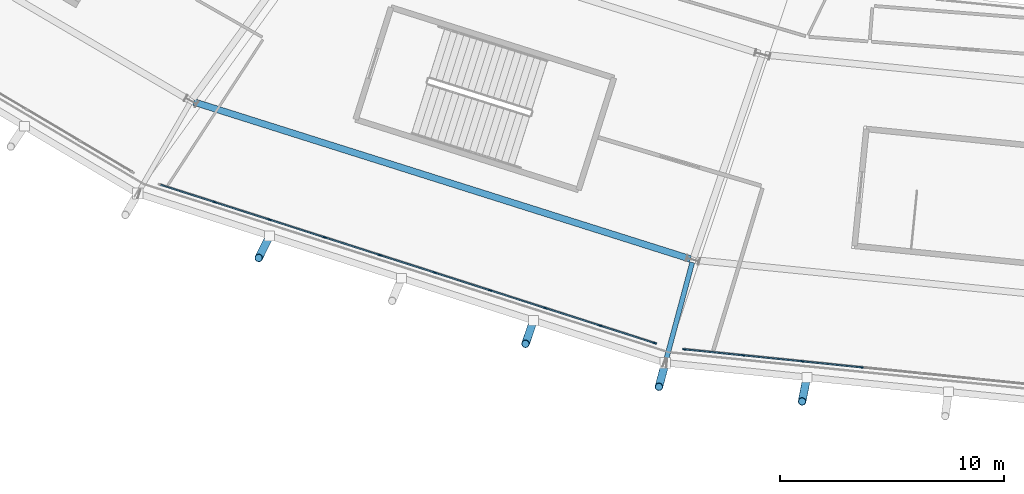
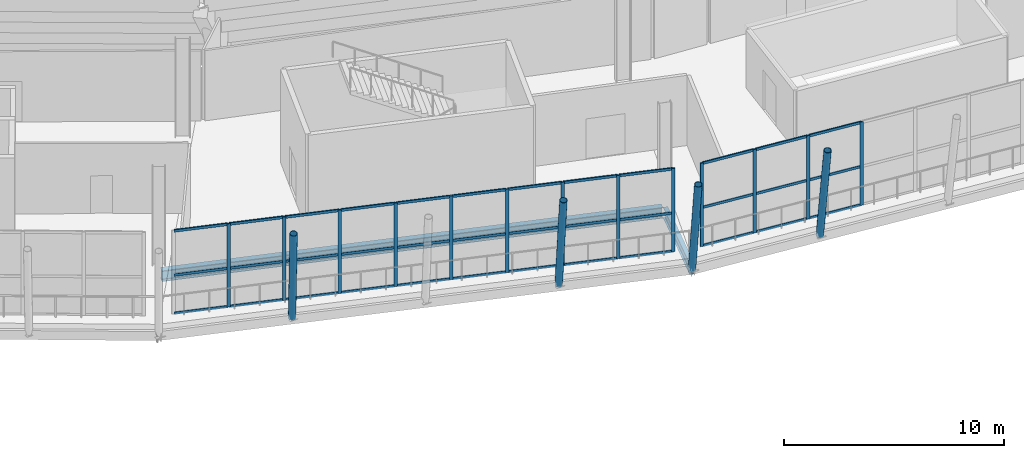
# One storey, part 20 of 126: 53 members, 2 beams, 2 elements without a shape of their own.
"""IFC4 building model written with IfcOpenShell, lengths in metres."""

from ifc_helpers import new_model, si_unit, direction, frame, origin, origin_2d, place, context, subcontext, project, spatial, rectangle, hollow_circle, i_section, extrude, material, material_profile, profile_set, type_object, element, aggregate, save


model = new_model("IFC4")

# Units and contexts
model_context = context("Model", 3, precision=1e-05, world=origin(), true_north=direction((0.0, 1.0)))
body_context = subcontext(model_context, "Body", "Model", "MODEL_VIEW")
ifc_project = project(units=[si_unit("LENGTHUNIT", "METRE"), si_unit("AREAUNIT", "SQUARE_METRE"), si_unit("VOLUMEUNIT", "CUBIC_METRE"), si_unit("PLANEANGLEUNIT", "RADIAN"), si_unit("MASSUNIT", "GRAM", prefix="KILO")], contexts=[model_context])

# Site, building, storey
site_placement = place(None, origin())
site = spatial("IfcSite", under=ifc_project, at=site_placement, CompositionType="ELEMENT")
building_placement = place(site_placement, origin())
building = spatial("IfcBuilding", under=site, at=building_placement, Name="Zlatoyarsky Gate Stadium", CompositionType="ELEMENT")
storey_placement = place(building_placement, frame((0.0, 0.0, 20.800048828125)))
storey = spatial("IfcBuildingStorey", under=building, at=storey_placement, Name="L04", CompositionType="ELEMENT", Elevation=20.800048828125)

# Curtain wall, members
ifc_material_1 = material(Name="Thermally broken anodised aluminium curtain wall", Category="aluminium")
curtain_wall_type = type_object("IfcCurtainWallType", Name="UNITISED MEDIA RING GLAZING L04", PredefinedType="USERDEFINED", material=ifc_material_1)
curtain_wall_1_placement = place(storey_placement, origin())
curtain_wall_1 = element("IfcCurtainWall", 1, at=curtain_wall_1_placement, inside=storey, type_object=curtain_wall_type, Name="Curtain wall CW-L04-16", ObjectType="UNITISED GLAZING", PredefinedType="USERDEFINED")
ifc_material_2 = material(Name="Anodised aluminium 6063-T6", Category="aluminium")
ifc_material_profile_1 = material_profile(ifc_material_2, rectangle(XDim=0.06494140625, YDim=0.159912109375, at=origin_2d()), Name="ALU 65X160")
ifc_profile_set_1 = profile_set([ifc_material_profile_1], Name="Anodised aluminium 6063-T6")
member_type_1 = type_object("IfcMemberType", Name="ALUMINIUM MULLION 65X160", PredefinedType="MULLION", material=ifc_profile_set_1)
member_1_placement = place(storey_placement, frame((65.5478515625, 14.000244140625, 0.0), z_axis=(0.0, 0.0, 1.0), x_axis=(0.305065730928, 0.952331297298, 0.0)))
member_1 = element("IfcMember", 2, at=member_1_placement, type_object=member_type_1, Name="CW-UG4 mullion 2", PredefinedType="MULLION", context=body_context, shape_type="SweptSolid", body=[
    extrude(rectangle(XDim=0.06494140625, YDim=0.159912109375, at=origin_2d()), origin(), (0.0, 0.0, 1.0), 4.619873046875),
])
member_2_placement = place(storey_placement, frame((68.01171875, 13.211181640625, 0.0), z_axis=(0.0, 0.0, 1.0), x_axis=(0.305065730928, 0.952331297298, 0.0)))
member_2 = element("IfcMember", 3, at=member_2_placement, type_object=member_type_1, Name="CW-UG4 mullion 3", PredefinedType="MULLION", context=body_context, shape_type="SweptSolid", body=[
    extrude(rectangle(XDim=0.06494140625, YDim=0.159912109375, at=origin_2d()), origin(), (0.0, 0.0, 1.0), 4.619873046875),
])
member_3_placement = place(storey_placement, frame((70.475341796875, 12.421875, 0.0), z_axis=(0.0, 0.0, 1.0), x_axis=(0.305065730928, 0.952331297298, 0.0)))
member_3 = element("IfcMember", 4, at=member_3_placement, type_object=member_type_1, Name="CW-UG4 mullion 4", PredefinedType="MULLION", context=body_context, shape_type="SweptSolid", body=[
    extrude(rectangle(XDim=0.06494140625, YDim=0.159912109375, at=origin_2d()), origin(), (0.0, 0.0, 1.0), 4.619873046875),
])
member_4_placement = place(storey_placement, frame((72.93896484375, 11.632568359375, 0.0), z_axis=(0.0, 0.0, 1.0), x_axis=(0.305065730928, 0.952331297298, 0.0)))
member_4 = element("IfcMember", 5, at=member_4_placement, type_object=member_type_1, Name="CW-UG4 mullion 5", PredefinedType="MULLION", context=body_context, shape_type="SweptSolid", body=[
    extrude(rectangle(XDim=0.06494140625, YDim=0.159912109375, at=origin_2d()), origin(), (0.0, 0.0, 1.0), 4.619873046875),
])
member_5_placement = place(storey_placement, frame((75.402587890625, 10.843505859375, 0.0), z_axis=(0.0, 0.0, 1.0), x_axis=(0.305065730928, 0.952331297298, 0.0)))
member_5 = element("IfcMember", 6, at=member_5_placement, type_object=member_type_1, Name="CW-UG4 mullion 6", PredefinedType="MULLION", context=body_context, shape_type="SweptSolid", body=[
    extrude(rectangle(XDim=0.06494140625, YDim=0.159912109375, at=origin_2d()), origin(), (0.0, 0.0, 1.0), 4.619873046875),
])
member_6_placement = place(storey_placement, frame((77.866455078125, 10.05419921875, 0.0), z_axis=(0.0, 0.0, 1.0), x_axis=(0.305065730928, 0.952331297298, 0.0)))
member_6 = element("IfcMember", 7, at=member_6_placement, type_object=member_type_1, Name="CW-UG4 mullion 7", PredefinedType="MULLION", context=body_context, shape_type="SweptSolid", body=[
    extrude(rectangle(XDim=0.06494140625, YDim=0.159912109375, at=origin_2d()), origin(), (0.0, 0.0, 1.0), 4.619873046875),
])
member_7_placement = place(storey_placement, frame((80.330078125, 9.26513671875, 0.0), z_axis=(0.0, 0.0, 1.0), x_axis=(0.305065730928, 0.952331297298, 0.0)))
member_7 = element("IfcMember", 8, at=member_7_placement, type_object=member_type_1, Name="CW-UG4 mullion 8", PredefinedType="MULLION", context=body_context, shape_type="SweptSolid", body=[
    extrude(rectangle(XDim=0.06494140625, YDim=0.159912109375, at=origin_2d()), origin(), (0.0, 0.0, 1.0), 4.619873046875),
])
member_8_placement = place(storey_placement, frame((82.793701171875, 8.475830078125, 0.0), z_axis=(0.0, 0.0, 1.0), x_axis=(0.305065730928, 0.952331297298, 0.0)))
member_8 = element("IfcMember", 9, at=member_8_placement, type_object=member_type_1, Name="CW-UG4 mullion 9", PredefinedType="MULLION", context=body_context, shape_type="SweptSolid", body=[
    extrude(rectangle(XDim=0.06494140625, YDim=0.159912109375, at=origin_2d()), origin(), (0.0, 0.0, 1.0), 4.619873046875),
])
member_9_placement = place(storey_placement, frame((85.2265625, 7.696533203125, 0.0), z_axis=(0.0, 0.0, 1.0), x_axis=(0.305065730928, 0.952331297298, 0.0)))
member_9 = element("IfcMember", 10, at=member_9_placement, type_object=member_type_1, Name="CW-UG4 mullion 10", PredefinedType="MULLION", context=body_context, shape_type="SweptSolid", body=[
    extrude(rectangle(XDim=0.06494140625, YDim=0.159912109375, at=origin_2d()), origin(), (0.0, 0.0, 1.0), 4.619873046875),
])

curtain_wall_2_placement = place(storey_placement, origin())
curtain_wall_2 = element("IfcCurtainWall", 11, at=curtain_wall_2_placement, inside=storey, type_object=curtain_wall_type, Name="Curtain wall CW-L04-17", ObjectType="UNITISED GLAZING", PredefinedType="USERDEFINED")
member_10_placement = place(storey_placement, frame((86.555419921875, 7.419189453125, 0.0), z_axis=(0.0, 0.0, 1.0), x_axis=(0.10129293102, 0.994856644007, 0.0)))
member_10 = element("IfcMember", 12, at=member_10_placement, type_object=member_type_1, Name="CW-UG4 mullion 1", PredefinedType="MULLION", context=body_context, shape_type="SweptSolid", body=[
    extrude(rectangle(XDim=0.06494140625, YDim=0.159912109375, at=origin_2d()), origin(), (0.0, 0.0, 1.0), 4.619873046875),
])
member_11_placement = place(storey_placement, frame((89.1708984375, 7.15283203125, 0.0), z_axis=(0.0, 0.0, 1.0), x_axis=(0.10129293102, 0.994856644007, 0.0)))
member_11 = element("IfcMember", 13, at=member_11_placement, type_object=member_type_1, Name="CW-UG4 mullion 2", PredefinedType="MULLION", context=body_context, shape_type="SweptSolid", body=[
    extrude(rectangle(XDim=0.06494140625, YDim=0.159912109375, at=origin_2d()), origin(), (0.0, 0.0, 1.0), 4.619873046875),
])
member_12_placement = place(storey_placement, frame((91.81884765625, 6.88330078125, 0.0), z_axis=(0.0, 0.0, 1.0), x_axis=(0.10129293102, 0.994856644007, 0.0)))
member_12 = element("IfcMember", 14, at=member_12_placement, type_object=member_type_1, Name="CW-UG4 mullion 3", PredefinedType="MULLION", context=body_context, shape_type="SweptSolid", body=[
    extrude(rectangle(XDim=0.06494140625, YDim=0.159912109375, at=origin_2d()), origin(), (0.0, 0.0, 1.0), 4.619873046875),
])
member_13_placement = place(storey_placement, frame((94.466552734375, 6.61376953125, 0.0), z_axis=(0.0, 0.0, 1.0), x_axis=(0.10129293102, 0.994856644007, 0.0)))
member_13 = element("IfcMember", 15, at=member_13_placement, type_object=member_type_1, Name="CW-UG4 mullion 4", PredefinedType="MULLION", context=body_context, shape_type="SweptSolid", body=[
    extrude(rectangle(XDim=0.06494140625, YDim=0.159912109375, at=origin_2d()), origin(), (0.0, 0.0, 1.0), 4.619873046875),
])

# Member
ifc_material_profile_2 = material_profile(ifc_material_2, rectangle(XDim=0.06494140625, YDim=0.139892578125, at=origin_2d()), Name="ALU 65X140")
ifc_profile_set_2 = profile_set([ifc_material_profile_2], Name="Anodised aluminium 6063-T6")
member_type_2 = type_object("IfcMemberType", Name="ALUMINIUM TRANSOM 65X140", PredefinedType="USERDEFINED", material=ifc_profile_set_2)
member_14_placement = place(storey_placement, frame((63.14599609375, 14.769775390625, 0.032470703125), z_axis=(0.952325033937, -0.305085282729, 0.0), x_axis=(0.305085282729, 0.952325033937, 0.0)))
member_14 = element("IfcMember", 16, at=member_14_placement, type_object=member_type_2, Name="CW-UG4 transom 1.1", ObjectType="TRANSOM", PredefinedType="USERDEFINED", context=body_context, shape_type="SweptSolid", body=[
    extrude(rectangle(XDim=0.06494140625, YDim=0.139892578125, at=origin_2d()), origin(), (0.0, 0.0, 1.0), 2.489501953125),
])

member_15_placement = place(storey_placement, frame((63.14599609375, 14.769775390625, 2.14990234375), z_axis=(0.952325033937, -0.305085282729, 0.0), x_axis=(0.305085282729, 0.952325033937, 0.0)))
member_15 = element("IfcMember", 17, at=member_15_placement, type_object=member_type_2, Name="CW-UG4 transom 1.2", ObjectType="TRANSOM", PredefinedType="USERDEFINED", context=body_context, shape_type="SweptSolid", body=[
    extrude(rectangle(XDim=0.06494140625, YDim=0.139892578125, at=origin_2d()), origin(), (0.0, 0.0, 1.0), 2.489501953125),
])

member_16_placement = place(storey_placement, frame((63.14599609375, 14.769775390625, 4.58740234375), z_axis=(0.952325033937, -0.305085282729, 0.0), x_axis=(0.305085282729, 0.952325033937, 0.0)))
member_16 = element("IfcMember", 18, at=member_16_placement, type_object=member_type_2, Name="CW-UG4 transom 1.3", ObjectType="TRANSOM", PredefinedType="USERDEFINED", context=body_context, shape_type="SweptSolid", body=[
    extrude(rectangle(XDim=0.06494140625, YDim=0.139892578125, at=origin_2d()), origin(), (0.0, 0.0, 1.0), 2.489501953125),
])

member_17_placement = place(storey_placement, frame((65.578857421875, 13.990478515625, 0.032470703125), z_axis=(0.95231618878, -0.305112891546, 0.0), x_axis=(0.305112891546, 0.95231618878, 0.0)))
member_17 = element("IfcMember", 19, at=member_17_placement, type_object=member_type_2, Name="CW-UG4 transom 2.1", ObjectType="TRANSOM", PredefinedType="USERDEFINED", context=body_context, shape_type="SweptSolid", body=[
    extrude(rectangle(XDim=0.06494140625, YDim=0.139892578125, at=origin_2d()), origin(), (0.0, 0.0, 1.0), 2.522216796875),
])

member_18_placement = place(storey_placement, frame((65.578857421875, 13.990478515625, 2.14990234375), z_axis=(0.95231618878, -0.305112891546, 0.0), x_axis=(0.305112891546, 0.95231618878, 0.0)))
member_18 = element("IfcMember", 20, at=member_18_placement, type_object=member_type_2, Name="CW-UG4 transom 2.2", ObjectType="TRANSOM", PredefinedType="USERDEFINED", context=body_context, shape_type="SweptSolid", body=[
    extrude(rectangle(XDim=0.06494140625, YDim=0.139892578125, at=origin_2d()), origin(), (0.0, 0.0, 1.0), 2.522216796875),
])

member_19_placement = place(storey_placement, frame((65.578857421875, 13.990478515625, 4.58740234375), z_axis=(0.95231618878, -0.305112891546, 0.0), x_axis=(0.305112891546, 0.95231618878, 0.0)))
member_19 = element("IfcMember", 21, at=member_19_placement, type_object=member_type_2, Name="CW-UG4 transom 2.3", ObjectType="TRANSOM", PredefinedType="USERDEFINED", context=body_context, shape_type="SweptSolid", body=[
    extrude(rectangle(XDim=0.06494140625, YDim=0.139892578125, at=origin_2d()), origin(), (0.0, 0.0, 1.0), 2.522216796875),
])

member_20_placement = place(storey_placement, frame((68.04248046875, 13.201171875, 0.032470703125), z_axis=(0.952344312089, -0.305025099349, 0.0), x_axis=(0.305025099349, 0.952344312089, 0.0)))
member_20 = element("IfcMember", 22, at=member_20_placement, type_object=member_type_2, Name="CW-UG4 transom 3.1", ObjectType="TRANSOM", PredefinedType="USERDEFINED", context=body_context, shape_type="SweptSolid", body=[
    extrude(rectangle(XDim=0.06494140625, YDim=0.139892578125, at=origin_2d()), origin(), (0.0, 0.0, 1.0), 2.52197265625),
])

member_21_placement = place(storey_placement, frame((68.04248046875, 13.201171875, 2.14990234375), z_axis=(0.952344312089, -0.305025099349, 0.0), x_axis=(0.305025099349, 0.952344312089, 0.0)))
member_21 = element("IfcMember", 23, at=member_21_placement, type_object=member_type_2, Name="CW-UG4 transom 3.2", ObjectType="TRANSOM", PredefinedType="USERDEFINED", context=body_context, shape_type="SweptSolid", body=[
    extrude(rectangle(XDim=0.06494140625, YDim=0.139892578125, at=origin_2d()), origin(), (0.0, 0.0, 1.0), 2.52197265625),
])

member_22_placement = place(storey_placement, frame((68.04248046875, 13.201171875, 4.58740234375), z_axis=(0.952344312089, -0.305025099349, 0.0), x_axis=(0.305025099349, 0.952344312089, 0.0)))
member_22 = element("IfcMember", 24, at=member_22_placement, type_object=member_type_2, Name="CW-UG4 transom 3.3", ObjectType="TRANSOM", PredefinedType="USERDEFINED", context=body_context, shape_type="SweptSolid", body=[
    extrude(rectangle(XDim=0.06494140625, YDim=0.139892578125, at=origin_2d()), origin(), (0.0, 0.0, 1.0), 2.52197265625),
])

member_23_placement = place(storey_placement, frame((70.50634765625, 12.411865234375, 0.032470703125), z_axis=(0.952335304296, -0.305053221901, 0.0), x_axis=(0.305053221901, 0.952335304296, 0.0)))
member_23 = element("IfcMember", 25, at=member_23_placement, type_object=member_type_2, Name="CW-UG4 transom 4.1", ObjectType="TRANSOM", PredefinedType="USERDEFINED", context=body_context, shape_type="SweptSolid", body=[
    extrude(rectangle(XDim=0.06494140625, YDim=0.139892578125, at=origin_2d()), origin(), (0.0, 0.0, 1.0), 2.521728515625),
])

member_24_placement = place(storey_placement, frame((70.50634765625, 12.411865234375, 2.14990234375), z_axis=(0.952335304296, -0.305053221901, 0.0), x_axis=(0.305053221901, 0.952335304296, 0.0)))
member_24 = element("IfcMember", 26, at=member_24_placement, type_object=member_type_2, Name="CW-UG4 transom 4.2", ObjectType="TRANSOM", PredefinedType="USERDEFINED", context=body_context, shape_type="SweptSolid", body=[
    extrude(rectangle(XDim=0.06494140625, YDim=0.139892578125, at=origin_2d()), origin(), (0.0, 0.0, 1.0), 2.521728515625),
])

member_25_placement = place(storey_placement, frame((70.50634765625, 12.411865234375, 4.58740234375), z_axis=(0.952335304296, -0.305053221901, 0.0), x_axis=(0.305053221901, 0.952335304296, 0.0)))
member_25 = element("IfcMember", 27, at=member_25_placement, type_object=member_type_2, Name="CW-UG4 transom 4.3", ObjectType="TRANSOM", PredefinedType="USERDEFINED", context=body_context, shape_type="SweptSolid", body=[
    extrude(rectangle(XDim=0.06494140625, YDim=0.139892578125, at=origin_2d()), origin(), (0.0, 0.0, 1.0), 2.521728515625),
])

member_26_placement = place(storey_placement, frame((72.969970703125, 11.622802734375, 0.032470703125), z_axis=(0.95231618878, -0.305112891546, 0.0), x_axis=(0.305112891546, 0.95231618878, 0.0)))
member_26 = element("IfcMember", 28, at=member_26_placement, type_object=member_type_2, Name="CW-UG4 transom 5.1", ObjectType="TRANSOM", PredefinedType="USERDEFINED", context=body_context, shape_type="SweptSolid", body=[
    extrude(rectangle(XDim=0.06494140625, YDim=0.139892578125, at=origin_2d()), origin(), (0.0, 0.0, 1.0), 2.522216796875),
])

member_27_placement = place(storey_placement, frame((72.969970703125, 11.622802734375, 2.14990234375), z_axis=(0.95231618878, -0.305112891546, 0.0), x_axis=(0.305112891546, 0.95231618878, 0.0)))
member_27 = element("IfcMember", 29, at=member_27_placement, type_object=member_type_2, Name="CW-UG4 transom 5.2", ObjectType="TRANSOM", PredefinedType="USERDEFINED", context=body_context, shape_type="SweptSolid", body=[
    extrude(rectangle(XDim=0.06494140625, YDim=0.139892578125, at=origin_2d()), origin(), (0.0, 0.0, 1.0), 2.522216796875),
])

member_28_placement = place(storey_placement, frame((72.969970703125, 11.622802734375, 4.58740234375), z_axis=(0.95231618878, -0.305112891546, 0.0), x_axis=(0.305112891546, 0.95231618878, 0.0)))
member_28 = element("IfcMember", 30, at=member_28_placement, type_object=member_type_2, Name="CW-UG4 transom 5.3", ObjectType="TRANSOM", PredefinedType="USERDEFINED", context=body_context, shape_type="SweptSolid", body=[
    extrude(rectangle(XDim=0.06494140625, YDim=0.139892578125, at=origin_2d()), origin(), (0.0, 0.0, 1.0), 2.522216796875),
])

member_29_placement = place(storey_placement, frame((75.43359375, 10.83349609375, 0.032470703125), z_axis=(0.952344312089, -0.305025099349, 0.0), x_axis=(0.305025099349, 0.952344312089, 0.0)))
member_29 = element("IfcMember", 31, at=member_29_placement, type_object=member_type_2, Name="CW-UG4 transom 6.1", ObjectType="TRANSOM", PredefinedType="USERDEFINED", context=body_context, shape_type="SweptSolid", body=[
    extrude(rectangle(XDim=0.06494140625, YDim=0.139892578125, at=origin_2d()), origin(), (0.0, 0.0, 1.0), 2.52197265625),
])

member_30_placement = place(storey_placement, frame((75.43359375, 10.83349609375, 2.14990234375), z_axis=(0.952344312089, -0.305025099349, 0.0), x_axis=(0.305025099349, 0.952344312089, 0.0)))
member_30 = element("IfcMember", 32, at=member_30_placement, type_object=member_type_2, Name="CW-UG4 transom 6.2", ObjectType="TRANSOM", PredefinedType="USERDEFINED", context=body_context, shape_type="SweptSolid", body=[
    extrude(rectangle(XDim=0.06494140625, YDim=0.139892578125, at=origin_2d()), origin(), (0.0, 0.0, 1.0), 2.52197265625),
])

member_31_placement = place(storey_placement, frame((75.43359375, 10.83349609375, 4.58740234375), z_axis=(0.952344312089, -0.305025099349, 0.0), x_axis=(0.305025099349, 0.952344312089, 0.0)))
member_31 = element("IfcMember", 33, at=member_31_placement, type_object=member_type_2, Name="CW-UG4 transom 6.3", ObjectType="TRANSOM", PredefinedType="USERDEFINED", context=body_context, shape_type="SweptSolid", body=[
    extrude(rectangle(XDim=0.06494140625, YDim=0.139892578125, at=origin_2d()), origin(), (0.0, 0.0, 1.0), 2.52197265625),
])

member_32_placement = place(storey_placement, frame((77.8974609375, 10.04443359375, 0.032470703125), z_axis=(0.952307176067, -0.305141020531, 0.0), x_axis=(0.305141020531, 0.952307176067, 0.0)))
member_32 = element("IfcMember", 34, at=member_32_placement, type_object=member_type_2, Name="CW-UG4 transom 7.1", ObjectType="TRANSOM", PredefinedType="USERDEFINED", context=body_context, shape_type="SweptSolid", body=[
    extrude(rectangle(XDim=0.06494140625, YDim=0.139892578125, at=origin_2d()), origin(), (0.0, 0.0, 1.0), 2.52197265625),
])

member_33_placement = place(storey_placement, frame((77.8974609375, 10.04443359375, 2.14990234375), z_axis=(0.952307176067, -0.305141020531, 0.0), x_axis=(0.305141020531, 0.952307176067, 0.0)))
member_33 = element("IfcMember", 35, at=member_33_placement, type_object=member_type_2, Name="CW-UG4 transom 7.2", ObjectType="TRANSOM", PredefinedType="USERDEFINED", context=body_context, shape_type="SweptSolid", body=[
    extrude(rectangle(XDim=0.06494140625, YDim=0.139892578125, at=origin_2d()), origin(), (0.0, 0.0, 1.0), 2.52197265625),
])

member_34_placement = place(storey_placement, frame((77.8974609375, 10.04443359375, 4.58740234375), z_axis=(0.952307176067, -0.305141020531, 0.0), x_axis=(0.305141020531, 0.952307176067, 0.0)))
member_34 = element("IfcMember", 36, at=member_34_placement, type_object=member_type_2, Name="CW-UG4 transom 7.3", ObjectType="TRANSOM", PredefinedType="USERDEFINED", context=body_context, shape_type="SweptSolid", body=[
    extrude(rectangle(XDim=0.06494140625, YDim=0.139892578125, at=origin_2d()), origin(), (0.0, 0.0, 1.0), 2.52197265625),
])

member_35_placement = place(storey_placement, frame((80.361083984375, 9.255126953125, 0.032470703125), z_axis=(0.952344312089, -0.305025099349, 0.0), x_axis=(0.305025099349, 0.952344312089, 0.0)))
member_35 = element("IfcMember", 37, at=member_35_placement, type_object=member_type_2, Name="CW-UG4 transom 8.1", ObjectType="TRANSOM", PredefinedType="USERDEFINED", context=body_context, shape_type="SweptSolid", body=[
    extrude(rectangle(XDim=0.06494140625, YDim=0.139892578125, at=origin_2d()), origin(), (0.0, 0.0, 1.0), 2.52197265625),
])

member_36_placement = place(storey_placement, frame((80.361083984375, 9.255126953125, 2.14990234375), z_axis=(0.952344312089, -0.305025099349, 0.0), x_axis=(0.305025099349, 0.952344312089, 0.0)))
member_36 = element("IfcMember", 38, at=member_36_placement, type_object=member_type_2, Name="CW-UG4 transom 8.2", ObjectType="TRANSOM", PredefinedType="USERDEFINED", context=body_context, shape_type="SweptSolid", body=[
    extrude(rectangle(XDim=0.06494140625, YDim=0.139892578125, at=origin_2d()), origin(), (0.0, 0.0, 1.0), 2.52197265625),
])

member_37_placement = place(storey_placement, frame((80.361083984375, 9.255126953125, 4.58740234375), z_axis=(0.952344312089, -0.305025099349, 0.0), x_axis=(0.305025099349, 0.952344312089, 0.0)))
member_37 = element("IfcMember", 39, at=member_37_placement, type_object=member_type_2, Name="CW-UG4 transom 8.3", ObjectType="TRANSOM", PredefinedType="USERDEFINED", context=body_context, shape_type="SweptSolid", body=[
    extrude(rectangle(XDim=0.06494140625, YDim=0.139892578125, at=origin_2d()), origin(), (0.0, 0.0, 1.0), 2.52197265625),
])

member_38_placement = place(storey_placement, frame((82.82470703125, 8.4658203125, 0.032470703125), z_axis=(0.952353522949, -0.304996339859, 0.0), x_axis=(0.304996339859, 0.952353522949, 0.0)))
member_38 = element("IfcMember", 40, at=member_38_placement, type_object=member_type_2, Name="CW-UG4 transom 9.1", ObjectType="TRANSOM", PredefinedType="USERDEFINED", context=body_context, shape_type="SweptSolid", body=[
    extrude(rectangle(XDim=0.06494140625, YDim=0.139892578125, at=origin_2d()), origin(), (0.0, 0.0, 1.0), 2.489501953125),
])

member_39_placement = place(storey_placement, frame((82.82470703125, 8.4658203125, 2.14990234375), z_axis=(0.952353522949, -0.304996339859, 0.0), x_axis=(0.304996339859, 0.952353522949, 0.0)))
member_39 = element("IfcMember", 41, at=member_39_placement, type_object=member_type_2, Name="CW-UG4 transom 9.2", ObjectType="TRANSOM", PredefinedType="USERDEFINED", context=body_context, shape_type="SweptSolid", body=[
    extrude(rectangle(XDim=0.06494140625, YDim=0.139892578125, at=origin_2d()), origin(), (0.0, 0.0, 1.0), 2.489501953125),
])

member_40_placement = place(storey_placement, frame((82.82470703125, 8.4658203125, 4.58740234375), z_axis=(0.952353522949, -0.304996339859, 0.0), x_axis=(0.304996339859, 0.952353522949, 0.0)))
member_40 = element("IfcMember", 42, at=member_40_placement, type_object=member_type_2, Name="CW-UG4 transom 9.3", ObjectType="TRANSOM", PredefinedType="USERDEFINED", context=body_context, shape_type="SweptSolid", body=[
    extrude(rectangle(XDim=0.06494140625, YDim=0.139892578125, at=origin_2d()), origin(), (0.0, 0.0, 1.0), 2.489501953125),
])

aggregate(curtain_wall_1, [member_1, member_2, member_3, member_4, member_5, member_6, member_7, member_8, member_9, member_14, member_15, member_16, member_17, member_18, member_19, member_20, member_21, member_22, member_23, member_24, member_25, member_26, member_27, member_28, member_29, member_30, member_31, member_32, member_33, member_34, member_35, member_36, member_37, member_38, member_39, member_40])

member_41_placement = place(storey_placement, frame((86.587890625, 7.416015625, 0.032470703125), z_axis=(0.994854532234, -0.101313669822, 0.0), x_axis=(0.101313669822, 0.994854532234, 0.0)))
member_41 = element("IfcMember", 43, at=member_41_placement, type_object=member_type_2, Name="CW-UG4 transom 1.1", ObjectType="TRANSOM", PredefinedType="USERDEFINED", context=body_context, shape_type="SweptSolid", body=[
    extrude(rectangle(XDim=0.06494140625, YDim=0.139892578125, at=origin_2d()), origin(), (0.0, 0.0, 1.0), 2.56396484375),
])

member_42_placement = place(storey_placement, frame((86.587890625, 7.416015625, 2.14990234375), z_axis=(0.994854532234, -0.101313669822, 0.0), x_axis=(0.101313669822, 0.994854532234, 0.0)))
member_42 = element("IfcMember", 44, at=member_42_placement, type_object=member_type_2, Name="CW-UG4 transom 1.2", ObjectType="TRANSOM", PredefinedType="USERDEFINED", context=body_context, shape_type="SweptSolid", body=[
    extrude(rectangle(XDim=0.06494140625, YDim=0.139892578125, at=origin_2d()), origin(), (0.0, 0.0, 1.0), 2.56396484375),
])

member_43_placement = place(storey_placement, frame((86.587890625, 7.416015625, 4.58740234375), z_axis=(0.994854532234, -0.101313669822, 0.0), x_axis=(0.101313669822, 0.994854532234, 0.0)))
member_43 = element("IfcMember", 45, at=member_43_placement, type_object=member_type_2, Name="CW-UG4 transom 1.3", ObjectType="TRANSOM", PredefinedType="USERDEFINED", context=body_context, shape_type="SweptSolid", body=[
    extrude(rectangle(XDim=0.06494140625, YDim=0.139892578125, at=origin_2d()), origin(), (0.0, 0.0, 1.0), 2.56396484375),
])

member_44_placement = place(storey_placement, frame((89.203369140625, 7.149658203125, 0.032470703125), z_axis=(0.994858725957, -0.101272480894, 0.0), x_axis=(0.101272480894, 0.994858725957, 0.0)))
member_44 = element("IfcMember", 46, at=member_44_placement, type_object=member_type_2, Name="CW-UG4 transom 2.1", ObjectType="TRANSOM", PredefinedType="USERDEFINED", context=body_context, shape_type="SweptSolid", body=[
    extrude(rectangle(XDim=0.06494140625, YDim=0.139892578125, at=origin_2d()), origin(), (0.0, 0.0, 1.0), 2.596435546875),
])

member_45_placement = place(storey_placement, frame((89.203369140625, 7.149658203125, 2.14990234375), z_axis=(0.994858725957, -0.101272480894, 0.0), x_axis=(0.101272480894, 0.994858725957, 0.0)))
member_45 = element("IfcMember", 47, at=member_45_placement, type_object=member_type_2, Name="CW-UG4 transom 2.2", ObjectType="TRANSOM", PredefinedType="USERDEFINED", context=body_context, shape_type="SweptSolid", body=[
    extrude(rectangle(XDim=0.06494140625, YDim=0.139892578125, at=origin_2d()), origin(), (0.0, 0.0, 1.0), 2.596435546875),
])

member_46_placement = place(storey_placement, frame((89.203369140625, 7.149658203125, 4.58740234375), z_axis=(0.994858725957, -0.101272480894, 0.0), x_axis=(0.101272480894, 0.994858725957, 0.0)))
member_46 = element("IfcMember", 48, at=member_46_placement, type_object=member_type_2, Name="CW-UG4 transom 2.3", ObjectType="TRANSOM", PredefinedType="USERDEFINED", context=body_context, shape_type="SweptSolid", body=[
    extrude(rectangle(XDim=0.06494140625, YDim=0.139892578125, at=origin_2d()), origin(), (0.0, 0.0, 1.0), 2.596435546875),
])

member_47_placement = place(storey_placement, frame((91.85107421875, 6.880126953125, 0.032470703125), z_axis=(0.99485021383, -0.101356065637, 0.0), x_axis=(0.101356065637, 0.99485021383, 0.0)))
member_47 = element("IfcMember", 49, at=member_47_placement, type_object=member_type_2, Name="CW-UG4 transom 3.1", ObjectType="TRANSOM", PredefinedType="USERDEFINED", context=body_context, shape_type="SweptSolid", body=[
    extrude(rectangle(XDim=0.06494140625, YDim=0.139892578125, at=origin_2d()), origin(), (0.0, 0.0, 1.0), 2.5966796875),
])

member_48_placement = place(storey_placement, frame((91.85107421875, 6.880126953125, 2.14990234375), z_axis=(0.99485021383, -0.101356065637, 0.0), x_axis=(0.101356065637, 0.99485021383, 0.0)))
member_48 = element("IfcMember", 50, at=member_48_placement, type_object=member_type_2, Name="CW-UG4 transom 3.2", ObjectType="TRANSOM", PredefinedType="USERDEFINED", context=body_context, shape_type="SweptSolid", body=[
    extrude(rectangle(XDim=0.06494140625, YDim=0.139892578125, at=origin_2d()), origin(), (0.0, 0.0, 1.0), 2.5966796875),
])

member_49_placement = place(storey_placement, frame((91.85107421875, 6.880126953125, 4.58740234375), z_axis=(0.99485021383, -0.101356065637, 0.0), x_axis=(0.101356065637, 0.99485021383, 0.0)))
member_49 = element("IfcMember", 51, at=member_49_placement, type_object=member_type_2, Name="CW-UG4 transom 3.3", ObjectType="TRANSOM", PredefinedType="USERDEFINED", context=body_context, shape_type="SweptSolid", body=[
    extrude(rectangle(XDim=0.06494140625, YDim=0.139892578125, at=origin_2d()), origin(), (0.0, 0.0, 1.0), 2.5966796875),
])

aggregate(curtain_wall_2, [member_10, member_11, member_12, member_13, member_41, member_42, member_43, member_44, member_45, member_46, member_47, member_48, member_49])

# Beam
ifc_material_3 = material(Name="Steel S355", Category="steel")
ifc_material_profile_3 = material_profile(ifc_material_3, i_section(OverallWidth=0.219970703125, OverallDepth=0.60009765625, WebThickness=0.011962890625, FlangeThickness=0.01904296875, FilletRadius=0.02392578125, at=origin_2d()), Name="IPE 600")
ifc_profile_set_3 = profile_set([ifc_material_profile_3], Name="Steel S355")
beam_type_1 = type_object("IfcBeamType", Name="STEEL CANTILEVER FLOOR BEAM IPE 600", PredefinedType="BEAM", material=ifc_profile_set_3)
beam_1_placement = place(storey_placement, frame((86.898681640625, 11.303466796875, -0.60009765625), z_axis=(-0.258809573134, -0.965928364246, 0.0), x_axis=(0.965928364246, -0.258809573134, 0.0)))
element("IfcBeam", 52, at=beam_1_placement, inside=storey, type_object=beam_type_1, Name="Beam B-IPE600 BM-L04-OUT-17", PredefinedType="BEAM", context=body_context, shape_type="SweptSolid", body=[
    extrude(i_section(OverallWidth=0.219970703125, OverallDepth=0.60009765625, WebThickness=0.011962890625, FlangeThickness=0.01904296875, FilletRadius=0.02392578125, at=origin_2d()), origin(), (0.0, 0.0, 1.0), 4.649658203125),
])

# Members
ifc_material_profile_4 = material_profile(ifc_material_3, hollow_circle(Radius=0.177734375, WallThickness=0.02001953125, at=origin_2d()), Name="CHS 355.6X20")
ifc_profile_set_4 = profile_set([ifc_material_profile_4], Name="Steel S355")
member_type_3 = type_object("IfcMemberType", Name="STEEL LEANING RIB RING STRUT CHS 355.6X20", PredefinedType="STRUT", material=ifc_profile_set_4)
member_50_placement = place(storey_placement, frame((85.6953125, 6.812255859375, -0.60009765625), z_axis=(-0.05167118686, -0.192876447293, 0.979861604783), x_axis=(0.965938221939, -0.258772779475, 0.0)))
element("IfcMember", 53, at=member_50_placement, inside=storey, type_object=member_type_3, Name="Leaning ring strut 17 L04 to L05", PredefinedType="STRUT", context=body_context, shape_type="SweptSolid", body=[
    extrude(hollow_circle(Radius=0.177734375, WallThickness=0.02001953125, at=origin_2d()), origin(), (0.0, 0.0, 1.0), 5.5517578125),
])
for number, where, z_axis, x_axis, name in (
    (54, (68.01025390625, 12.4892578125, -0.550048828125), (-0.087841760653, -0.177926851198, 0.980115228281), (0.896676847693, -0.442685702063, 0.0), "Outward-leaning bowl louvre fin rib L04 16-1"),
    (55, (79.80029296875, 8.70458984375, -0.550048828125), (-0.06373698872, -0.187911950182, 0.980115654016), (0.947007602711, -0.321211146144, 0.0), "Outward-leaning bowl louvre fin rib L04 16-3"),
    (56, (92.021484375, 6.166748046875, -0.550048828125), (-0.038752502821, -0.194598266151, 0.980117216631), (0.980742343019, -0.195306058815, 0.0), "Outward-leaning bowl louvre fin rib L04 17-1"),
):
    element("IfcMember", number, at=place(storey_placement, frame(where, z_axis=z_axis, x_axis=x_axis)), inside=storey, type_object=member_type_3, Name=name, PredefinedType="STRUT", context=body_context, shape_type="SweptSolid", body=[
        extrude(hollow_circle(Radius=0.177734375, WallThickness=0.02001953125, at=origin_2d()), origin(), (0.0, 0.0, 1.0), 5.55029296875),
    ])

# Beam
ifc_material_profile_5 = material_profile(ifc_material_3, i_section(OverallWidth=0.300048828125, OverallDepth=0.60009765625, WebThickness=0.015380859375, FlangeThickness=0.030029296875, FilletRadius=0.027099609375, at=origin_2d()), Name="HEB 600")
ifc_profile_set_5 = profile_set([ifc_material_profile_5], Name="Steel S355")
beam_type_2 = type_object("IfcBeamType", Name="STEEL PRIMARY GIRDER HEB 600", PredefinedType="BEAM", material=ifc_profile_set_5)
beam_2_placement = place(storey_placement, frame((64.614501953125, 18.47607421875, -0.60009765625), z_axis=(0.953463107403, -0.301509706015, 0.0), x_axis=(0.301509706015, 0.953463107403, 0.0)))
element("IfcBeam", 57, at=beam_2_placement, inside=storey, type_object=beam_type_2, Name="Beam G-HEB600 BM-L04-CRC-16", PredefinedType="BEAM", context=body_context, shape_type="SweptSolid", body=[
    extrude(i_section(OverallWidth=0.300048828125, OverallDepth=0.60009765625, WebThickness=0.015380859375, FlangeThickness=0.030029296875, FilletRadius=0.027099609375, at=origin_2d()), origin(), (0.0, 0.0, 1.0), 23.284423828125),
])

save(model, "model.ifc")
